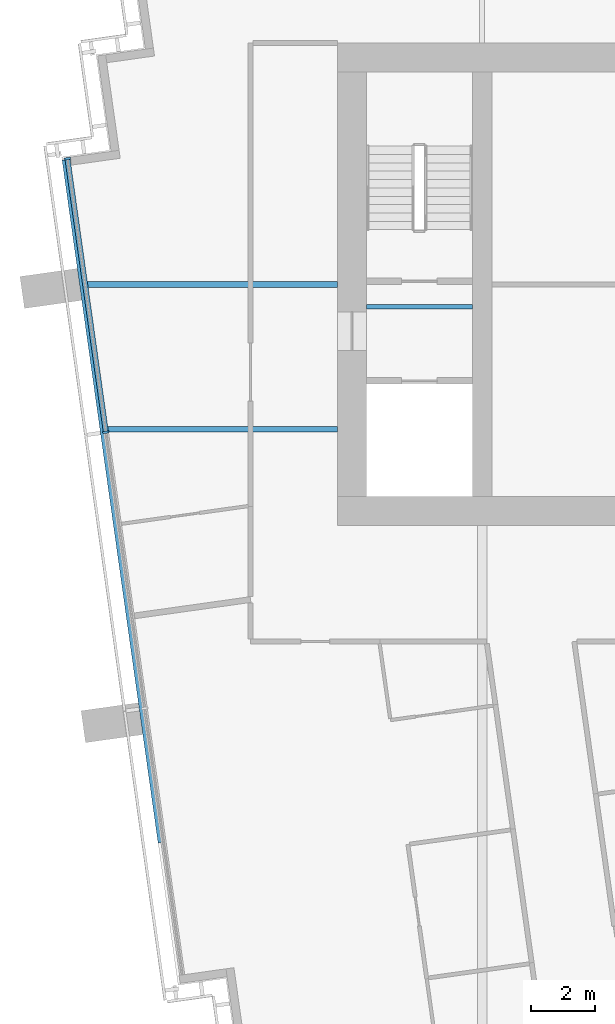
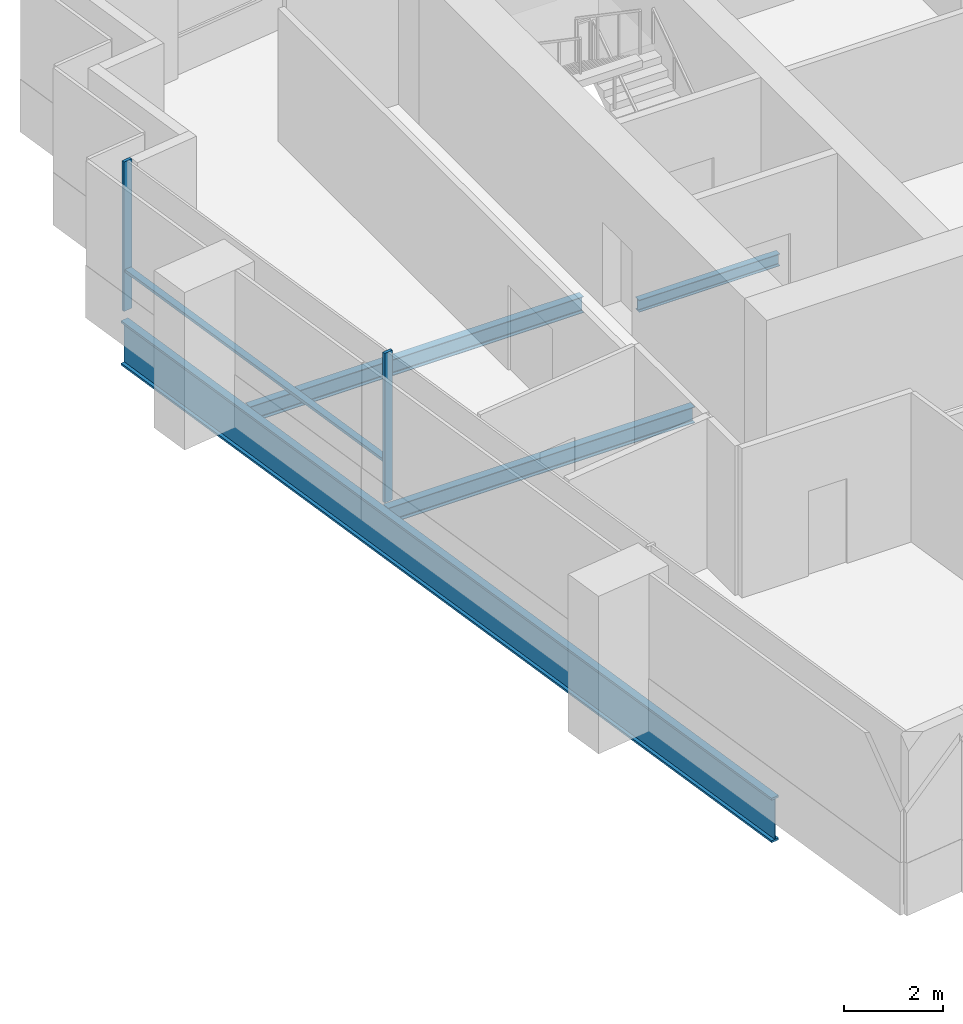
# One storey, part 3 of 15: 4 beams, 3 members, 1 element without a shape of its own.
"""IFC4 building model written with IfcOpenShell, lengths in metres."""

from ifc_helpers import new_model, si_unit, direction, frame, origin, origin_2d, place, context, subcontext, project, spatial, rectangle, i_section, extrude, material, layer, layer_set, material_profile, profile_set, type_object, element, aggregate, save


model = new_model("IFC4")

# Units and contexts
model_context = context("Model", 3, precision=1e-05, world=origin(), true_north=direction((0.0, 1.0)))
body_context = subcontext(model_context, "Body", "Model", "MODEL_VIEW")
ifc_project = project(units=[si_unit("LENGTHUNIT", "METRE"), si_unit("AREAUNIT", "SQUARE_METRE"), si_unit("VOLUMEUNIT", "CUBIC_METRE"), si_unit("PLANEANGLEUNIT", "RADIAN"), si_unit("MASSUNIT", "GRAM", prefix="KILO")], contexts=[model_context])

# Site, building, storey
site_placement = place(None, origin())
site = spatial("IfcSite", under=ifc_project, at=site_placement, CompositionType="ELEMENT")
building_placement = place(site_placement, origin())
building = spatial("IfcBuilding", under=site, at=building_placement, Name="Rattan Terrace Tower", CompositionType="ELEMENT")
storey_placement = place(building_placement, frame((0.0, 0.0, 274.60009765625)))
storey = spatial("IfcBuildingStorey", under=building, at=storey_placement, Name="L63", CompositionType="ELEMENT", Elevation=274.60009765625)

# Beams
ifc_material_1 = material(Name="Steel S460", Category="steel")
ifc_material_profile_1 = material_profile(ifc_material_1, i_section(OverallWidth=0.179931640625, OverallDepth=1.10009765625, WebThickness=0.01611328125, FlangeThickness=0.050048828125, at=origin_2d()), Name="PG 1100x180-16-50")
ifc_profile_set_1 = profile_set([ifc_material_profile_1], Name="Steel S460")
beam_type_1 = type_object("IfcBeamType", Name="Frame edge girder PG 1100x180-16-50", PredefinedType="SPANDREL", material=ifc_profile_set_1)
beam_1_placement = place(storey_placement, frame((-23.485107421875, -17.347900390625, -0.75), z_axis=(-0.139189723544, 0.990265732448, 0.0), x_axis=(-0.990265732448, -0.139189723544, 0.0)))
element("IfcBeam", 1, at=beam_1_placement, inside=storey, type_object=beam_type_1, Name="gdr-L63-003", PredefinedType="SPANDREL", context=body_context, shape_type="SweptSolid", body=[
    extrude(i_section(OverallWidth=0.179931640625, OverallDepth=1.10009765625, WebThickness=0.01611328125, FlangeThickness=0.050048828125, at=origin_2d()), origin(), (0.0, 0.0, 1.0), 21.430419921875),
])
ifc_material_2 = material(Name="Steel S355", Category="steel")
ifc_material_profile_2 = material_profile(ifc_material_2, i_section(OverallWidth=0.14990234375, OverallDepth=0.300048828125, WebThickness=0.007080078125, FlangeThickness=0.0107421875, FilletRadius=0.014892578125, at=origin_2d()), Name="IPE 300")
ifc_profile_set_2 = profile_set([ifc_material_profile_2], Name="Steel S355")
beam_type_2 = type_object("IfcBeamType", Name="Frame floor beam IPE 300", PredefinedType="JOIST", material=ifc_profile_set_2)
beam_2_placement = place(storey_placement, frame((-17.10009765625, -0.695068359375, -0.35009765625), z_axis=(1.0, 0.0, 0.0), x_axis=(0.0, 1.0, 0.0)))
element("IfcBeam", 2, at=beam_2_placement, inside=storey, type_object=beam_type_2, Name="bm-L63-001", PredefinedType="JOIST", context=body_context, shape_type="SweptSolid", body=[
    extrude(i_section(OverallWidth=0.14990234375, OverallDepth=0.300048828125, WebThickness=0.007080078125, FlangeThickness=0.0107421875, FilletRadius=0.014892578125, at=origin_2d()), origin(), (0.0, 0.0, 1.0), 3.300048828125),
])
ifc_material_3 = material(Name="Steel S355", Category="steel")
ifc_material_profile_3 = material_profile(ifc_material_3, i_section(OverallWidth=0.179931640625, OverallDepth=0.39990234375, WebThickness=0.008544921875, FlangeThickness=0.013427734375, FilletRadius=0.02099609375, at=origin_2d()), Name="IPE 400")
ifc_profile_set_3 = profile_set([ifc_material_profile_3], Name="Steel S355")
beam_type_3 = type_object("IfcBeamType", Name="Frame floor beam IPE 400", PredefinedType="JOIST", material=ifc_profile_set_3)
beam_3_placement = place(storey_placement, frame((-25.18701171875, -4.5, -0.400146484375), z_axis=(1.0, 0.0, 0.0), x_axis=(0.0, 1.0, 0.0)))
element("IfcBeam", 3, at=beam_3_placement, inside=storey, type_object=beam_type_3, Name="bm-L63-010", PredefinedType="JOIST", context=body_context, shape_type="SweptSolid", body=[
    extrude(i_section(OverallWidth=0.179931640625, OverallDepth=0.39990234375, WebThickness=0.008544921875, FlangeThickness=0.013427734375, FilletRadius=0.02099609375, at=origin_2d()), origin(), (0.0, 0.0, 1.0), 7.18701171875),
])
beam_4_placement = place(storey_placement, frame((-25.820068359375, 0.0, -0.400146484375), z_axis=(1.0, 0.0, 0.0), x_axis=(0.0, 1.0, 0.0)))
element("IfcBeam", 4, at=beam_4_placement, inside=storey, type_object=beam_type_3, Name="bm-L63-012", PredefinedType="JOIST", context=body_context, shape_type="SweptSolid", body=[
    extrude(i_section(OverallWidth=0.179931640625, OverallDepth=0.39990234375, WebThickness=0.008544921875, FlangeThickness=0.013427734375, FilletRadius=0.02099609375, at=origin_2d()), origin(), (0.0, 0.0, 1.0), 7.820068359375),
])

# Curtain wall, members
ifc_material_4 = material(Name="Aluminium and laminated glass", Category="aluminium")
ifc_layer = layer(ifc_material_4, 0.199951171875)
ifc_layer_set = layer_set([ifc_layer], Name="High-Zone Unitised Curtain Wall")
curtain_wall_type = type_object("IfcCurtainWallType", Name="High-Zone Unitised Curtain Wall", PredefinedType="NOTDEFINED", material=ifc_layer_set)
curtain_wall_placement = place(storey_placement, origin())
curtain_wall = element("IfcCurtainWall", 5, at=curtain_wall_placement, inside=storey, type_object=curtain_wall_type, Name="High-zone curtain wall L63-3", PredefinedType="NOTDEFINED")
ifc_material_5 = material(Name="Aluminium", Category="aluminium")
ifc_material_profile_4 = material_profile(ifc_material_5, rectangle(XDim=0.070068359375, YDim=0.199951171875, at=origin_2d()), Name="Aluminium 70x200")
ifc_profile_set_4 = profile_set([ifc_material_profile_4], Name="Aluminium")
member_type_1 = type_object("IfcMemberType", Name="High-Zone CW Mullion 70x200", PredefinedType="MULLION", material=ifc_profile_set_4)
member_1_placement = place(storey_placement, frame((-26.3916015625, 3.908447265625, 0.0), z_axis=(0.0, 0.0, 1.0), x_axis=(0.139191775431, -0.990265444036, 0.0)))
member_1 = element("IfcMember", 6, at=member_1_placement, type_object=member_type_1, Name="Mullion cwl-L63-003.1", PredefinedType="MULLION", context=body_context, shape_type="SweptSolid", body=[
    extrude(rectangle(XDim=0.070068359375, YDim=0.199951171875, at=origin_2d()), origin(), (0.0, 0.0, 1.0), 3.699951171875),
])
member_2_placement = place(storey_placement, frame((-25.1962890625, -4.594970703125, 0.0), z_axis=(0.0, 0.0, 1.0), x_axis=(0.139191775431, -0.990265444036, 0.0)))
member_2 = element("IfcMember", 7, at=member_2_placement, type_object=member_type_1, Name="Mullion cwl-L63-003.2", PredefinedType="MULLION", context=body_context, shape_type="SweptSolid", body=[
    extrude(rectangle(XDim=0.070068359375, YDim=0.199951171875, at=origin_2d()), origin(), (0.0, 0.0, 1.0), 3.699951171875),
])
ifc_material_6 = material(Name="Aluminium", Category="aluminium")
ifc_material_profile_5 = material_profile(ifc_material_6, rectangle(XDim=0.159912109375, YDim=0.070068359375, at=origin_2d()), Name="Aluminium 160x70")
ifc_profile_set_5 = profile_set([ifc_material_profile_5], Name="Aluminium")
member_type_2 = type_object("IfcMemberType", Name="High-Zone CW Transom 160x70", PredefinedType="USERDEFINED", material=ifc_profile_set_5)
member_3_placement = place(storey_placement, frame((-26.38671875, 3.873779296875, 1.0), z_axis=(0.139197734293, -0.99026460644, 0.0), x_axis=(0.99026460644, 0.139197734293, 0.0)))
member_3 = element("IfcMember", 8, at=member_3_placement, type_object=member_type_2, Name="Transom cwl-L63-003.1", ObjectType="TRANSOM", PredefinedType="USERDEFINED", context=body_context, shape_type="SweptSolid", body=[
    extrude(rectangle(XDim=0.159912109375, YDim=0.070068359375, at=origin_2d()), origin(), (0.0, 0.0, 1.0), 8.51708984375),
])
aggregate(curtain_wall, [member_1, member_2, member_3])

save(model, "model.ifc")
